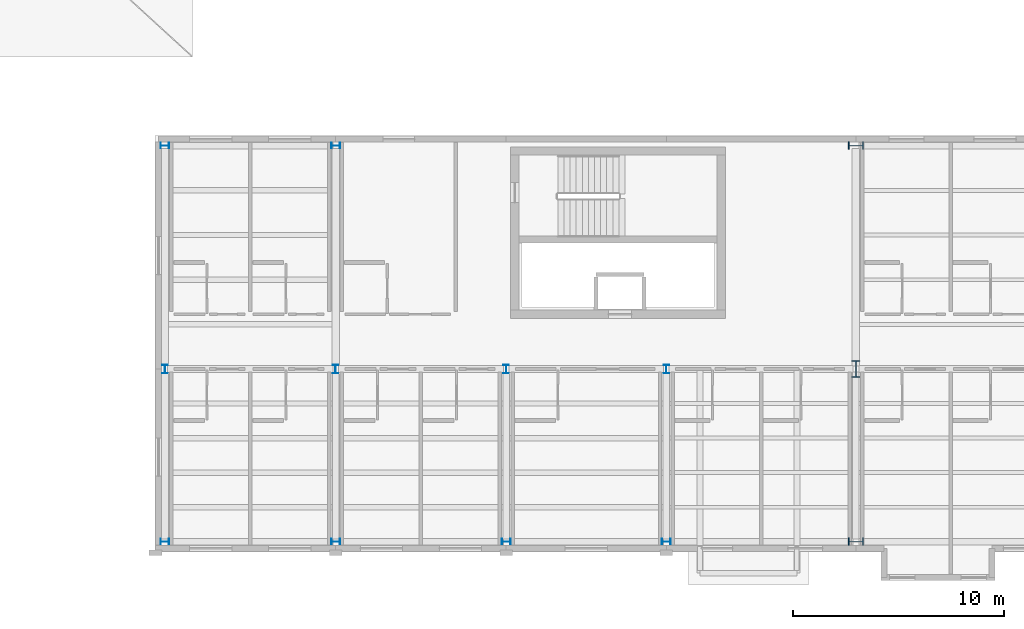
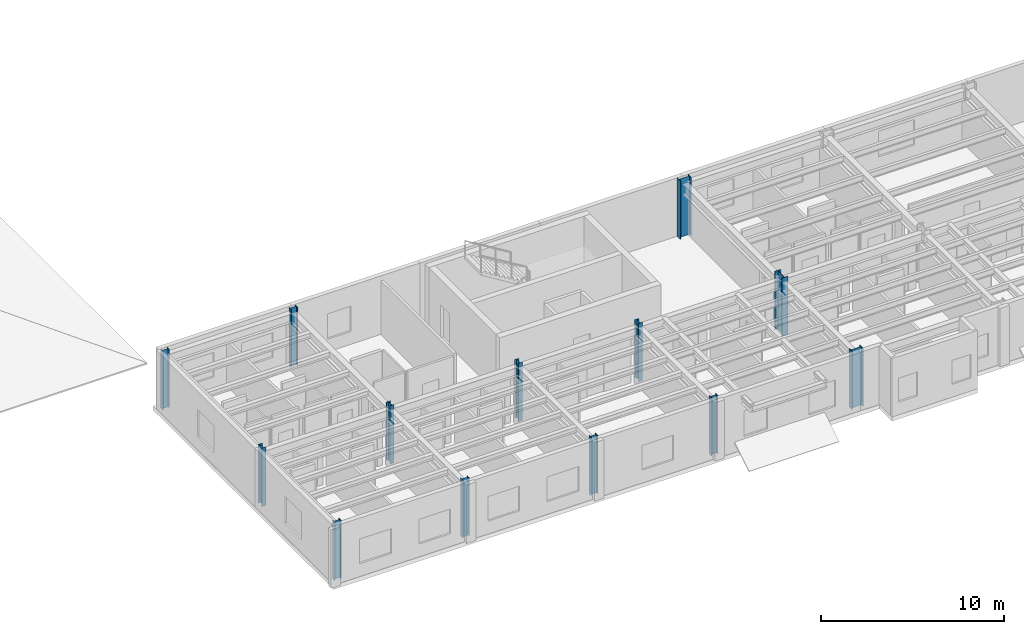
# One storey, part 1 of 46: 13 columns.
"""IFC4 building model written with IfcOpenShell, lengths in metres."""

from ifc_helpers import new_model, si_unit, direction, frame, origin, origin_2d, place, context, subcontext, project, spatial, i_section, extrude, material, material_profile, profile_set, type_object, element, save


model = new_model("IFC4")

# Units and contexts
model_context = context("Model", 3, precision=1e-05, world=origin(), true_north=direction((0.0, 1.0)))
body_context = subcontext(model_context, "Body", "Model", "MODEL_VIEW")
ifc_project = project(units=[si_unit("LENGTHUNIT", "METRE"), si_unit("AREAUNIT", "SQUARE_METRE"), si_unit("VOLUMEUNIT", "CUBIC_METRE"), si_unit("PLANEANGLEUNIT", "RADIAN"), si_unit("MASSUNIT", "GRAM", prefix="KILO")], contexts=[model_context])

# Site, building, storey
site_placement = place(None, origin())
site = spatial("IfcSite", under=ifc_project, at=site_placement, CompositionType="ELEMENT")
building_placement = place(site_placement, origin())
building = spatial("IfcBuilding", under=site, at=building_placement, Name="Sollismere Congress Hotel", CompositionType="ELEMENT")
storey_placement = place(building_placement, frame((0.0, 0.0, 19.5)))
storey = spatial("IfcBuildingStorey", under=building, at=storey_placement, Name="L04", CompositionType="ELEMENT", Elevation=19.5)

# Columns
ifc_material = material(Name="Steel ASTM A992 Grade 50", Category="steel")
ifc_material_profile_1 = material_profile(ifc_material, i_section(OverallWidth=0.261962890625, OverallDepth=0.4189453125, WebThickness=0.01171875, FlangeThickness=0.019287109375, at=origin_2d()), Name="W16X77")
ifc_profile_set_1 = profile_set([ifc_material_profile_1], Name="Steel ASTM A992 Grade 50")
column_type_1 = type_object("IfcColumnType", Name="COL-W16", PredefinedType="COLUMN", material=ifc_profile_set_1)
for number, where, z_axis, x_axis, name in (
    (1, (34.199951171875, 0.0, 0.0), (0.0, 0.0, 1.0), (0.0, 1.0, 0.0), "Column CL-L04-120"),
    (2, (34.199951171875, 8.199951171875, 0.0), (0.0, 0.0, 1.0), (1.0, 0.0, 0.0), "Column CL-L04-128"),
    (3, (34.199951171875, 18.800048828125, 0.0), (0.0, 0.0, 1.0), (0.0, 1.0, 0.0), "Column CL-L04-136"),
    (4, (42.300048828125, 0.0, 0.0), (0.0, 0.0, 1.0), (0.0, 1.0, 0.0), "Column CL-L04-155"),
    (5, (42.300048828125, 8.199951171875, 0.0), (0.0, 0.0, 1.0), (1.0, 0.0, 0.0), "Column CL-L04-163"),
    (6, (42.300048828125, 18.800048828125, 0.0), (0.0, 0.0, 1.0), (0.0, 1.0, 0.0), "Column CL-L04-171"),
    (7, (50.39990234375, 0.0, 0.0), (0.0, 0.0, 1.0), (0.0, 1.0, 0.0), "Column CL-L04-190"),
    (8, (50.39990234375, 8.199951171875, 0.0), (0.0, 0.0, 1.0), (1.0, 0.0, 0.0), "Column CL-L04-198"),
    (9, (58.0, 0.0, 0.0), (0.0, 0.0, 1.0), (0.0, 1.0, 0.0), "Column CL-L04-233"),
    (10, (58.0, 8.199951171875, 0.0), (0.0, 0.0, 1.0), (1.0, 0.0, 0.0), "Column CL-L04-241"),
):
    element("IfcColumn", number, at=place(storey_placement, frame(where, z_axis=z_axis, x_axis=x_axis)), inside=storey, type_object=column_type_1, Name=name, PredefinedType="COLUMN", context=body_context, shape_type="SweptSolid", body=[
        extrude(i_section(OverallWidth=0.261962890625, OverallDepth=0.4189453125, WebThickness=0.01171875, FlangeThickness=0.019287109375, at=origin_2d()), origin(), (0.0, 0.0, 1.0), 3.89990234375),
    ])
ifc_material_profile_2 = material_profile(ifc_material, i_section(OverallWidth=0.35595703125, OverallDepth=0.714111328125, WebThickness=0.01904296875, FlangeThickness=0.033935546875, at=origin_2d()), Name="W27X194")
ifc_profile_set_2 = profile_set([ifc_material_profile_2], Name="Steel ASTM A992 Grade 50")
column_type_2 = type_object("IfcColumnType", Name="COL-W27", PredefinedType="COLUMN", material=ifc_profile_set_2)
for number, where, z_axis, x_axis, name in (
    (11, (67.0, 0.0, 0.0), (0.0, 0.0, 1.0), (0.0, 1.0, 0.0), "Column CL-L04-281"),
    (12, (67.0, 18.800048828125, 0.0), (0.0, 0.0, 1.0), (0.0, 1.0, 0.0), "Column CL-L04-303"),
):
    element("IfcColumn", number, at=place(storey_placement, frame(where, z_axis=z_axis, x_axis=x_axis)), inside=storey, type_object=column_type_2, Name=name, PredefinedType="COLUMN", context=body_context, shape_type="SweptSolid", body=[
        extrude(i_section(OverallWidth=0.35595703125, OverallDepth=0.714111328125, WebThickness=0.01904296875, FlangeThickness=0.033935546875, at=origin_2d()), origin(), (0.0, 0.0, 1.0), 3.89990234375),
    ])
ifc_material_profile_3 = material_profile(ifc_material, i_section(OverallWidth=0.384033203125, OverallDepth=0.787109375, WebThickness=0.019775390625, FlangeThickness=0.033447265625, at=origin_2d()), Name="W30X211")
ifc_profile_set_3 = profile_set([ifc_material_profile_3], Name="Steel ASTM A992 Grade 50")
column_type_3 = type_object("IfcColumnType", Name="COL-W30", PredefinedType="COLUMN", material=ifc_profile_set_3)
column_placement = place(storey_placement, frame((67.0, 8.199951171875, 0.0), z_axis=(0.0, 0.0, 1.0), x_axis=(1.0, 0.0, 0.0)))
element("IfcColumn", 13, at=column_placement, inside=storey, type_object=column_type_3, Name="Column CL-L04-292", PredefinedType="COLUMN", context=body_context, shape_type="SweptSolid", body=[
    extrude(i_section(OverallWidth=0.384033203125, OverallDepth=0.787109375, WebThickness=0.019775390625, FlangeThickness=0.033447265625, at=origin_2d()), origin(), (0.0, 0.0, 1.0), 3.89990234375),
])

save(model, "model.ifc")
